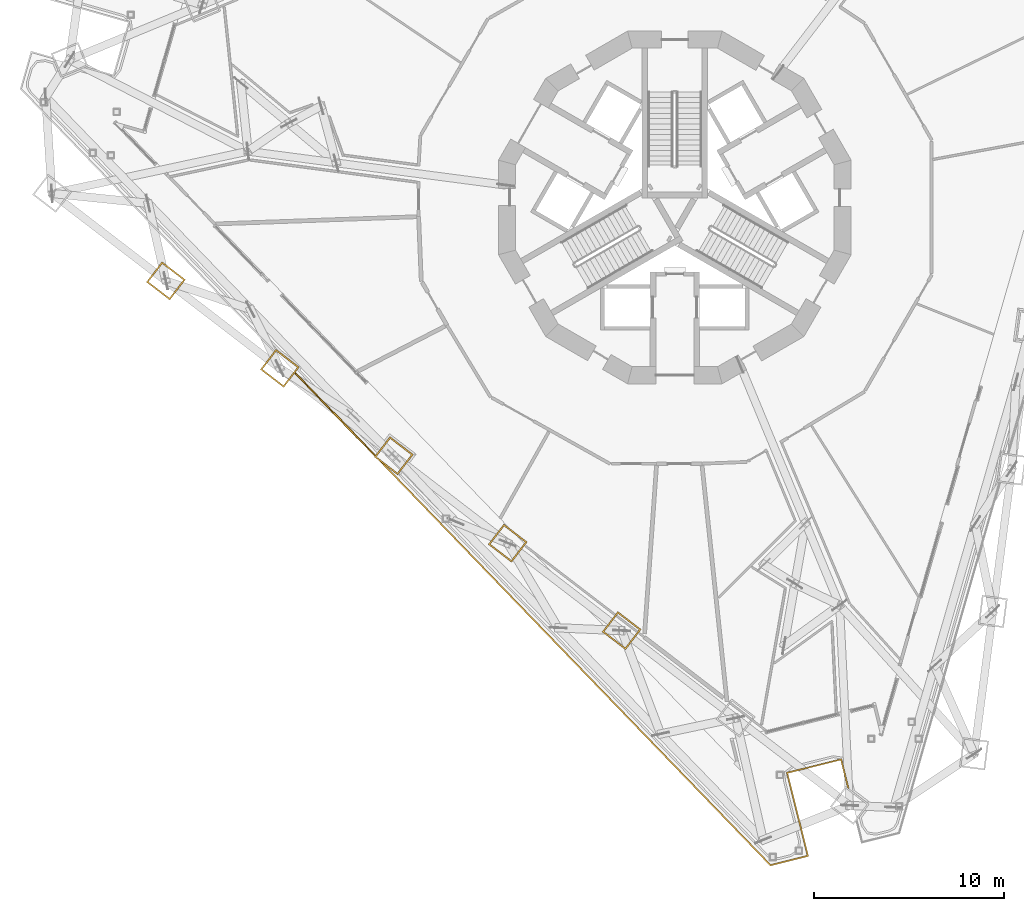
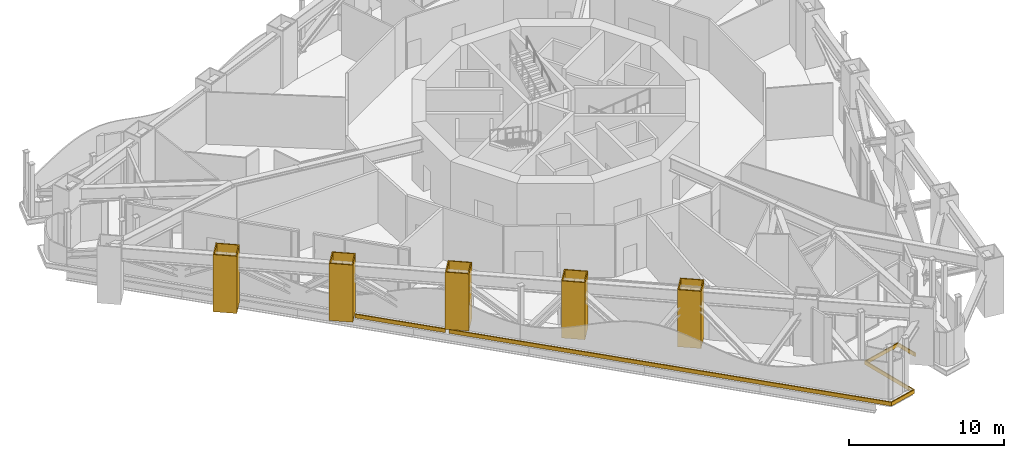
# One storey, part 19 of 26: 7 coverings.
"""IFC4 building model written with IfcOpenShell, lengths in metres."""

from ifc_helpers import new_model, si_unit, direction, frame, origin, place, context, subcontext, project, spatial, polyline, outline, extrude, material, layer, layer_set, type_object, element, save


model = new_model("IFC4")

# Units and contexts
model_context = context("Model", 3, precision=1e-05, world=origin(), true_north=direction((0.0, 1.0)))
body_context = subcontext(model_context, "Body", "Model", "MODEL_VIEW")
ifc_project = project(units=[si_unit("LENGTHUNIT", "METRE"), si_unit("AREAUNIT", "SQUARE_METRE"), si_unit("VOLUMEUNIT", "CUBIC_METRE"), si_unit("PLANEANGLEUNIT", "RADIAN"), si_unit("MASSUNIT", "GRAM", prefix="KILO")], contexts=[model_context])

# Site, building, storey
site_placement = place(None, origin())
site = spatial("IfcSite", under=ifc_project, at=site_placement, CompositionType="ELEMENT")
building_placement = place(site_placement, origin())
building = spatial("IfcBuilding", under=site, at=building_placement, Name="Trine Commons Tower", CompositionType="ELEMENT")
storey_placement = place(building_placement, frame((0.0, 0.0, 119.699951171875)))
storey = spatial("IfcBuildingStorey", under=building, at=storey_placement, Name="L30", CompositionType="ELEMENT", Elevation=119.699951171875)

# Coverings
ifc_material = material(Name="Limestone, honed", Category="masonry")
ifc_layer_1 = layer(ifc_material, 0.074951171875)
ifc_layer_set_1 = layer_set([ifc_layer_1], Name="Limestone, honed")
covering_type_1 = type_object("IfcCoveringType", Name="Limestone column cladding 75", PredefinedType="CLADDING", material=ifc_layer_set_1)
covering_1_placement = place(storey_placement, origin())
element("IfcCovering", 1, at=covering_1_placement, inside=storey, type_object=covering_type_1, Name="Limestone pier cladding 4-03", PredefinedType="CLADDING", context=body_context, shape_type="SweptSolid", body=[
    extrude(outline(polyline([(77.001708984375, 41.25732421875), (76.1796875, 40.186279296875), (77.409423828125, 39.242919921875), (78.231201171875, 40.313720703125), (77.001708984375, 41.25732421875)]), holes=[polyline([(77.015380859375, 41.152099609375), (76.284912109375, 40.2001953125), (77.3955078125, 39.347900390625), (78.126220703125, 40.300048828125), (77.015380859375, 41.152099609375)])]), origin(), (0.0, 0.0, 1.0), 4.5),
])
covering_2_placement = place(storey_placement, origin())
element("IfcCovering", 2, at=covering_2_placement, inside=storey, type_object=covering_type_1, Name="Limestone pier cladding 4-04", PredefinedType="CLADDING", context=body_context, shape_type="SweptSolid", body=[
    extrude(outline(polyline([(71.01025390625, 45.854736328125), (70.1884765625, 44.78369140625), (71.418212890625, 43.840087890625), (72.239990234375, 44.9111328125), (71.01025390625, 45.854736328125)]), holes=[polyline([(71.024169921875, 45.74951171875), (70.293701171875, 44.797607421875), (71.404296875, 43.9453125), (72.134765625, 44.897216796875), (71.024169921875, 45.74951171875)])]), origin(), (0.0, 0.0, 1.0), 4.5),
])
covering_3_placement = place(storey_placement, origin())
element("IfcCovering", 3, at=covering_3_placement, inside=storey, type_object=covering_type_1, Name="Limestone pier cladding 4-05", PredefinedType="CLADDING", context=body_context, shape_type="SweptSolid", body=[
    extrude(outline(polyline([(65.018798828125, 50.451904296875), (64.197021484375, 49.381103515625), (65.4267578125, 48.4375), (66.24853515625, 49.50830078125), (65.018798828125, 50.451904296875)]), holes=[polyline([(65.03271484375, 50.3466796875), (64.30224609375, 49.394775390625), (65.412841796875, 48.54248046875), (66.143310546875, 49.49462890625), (65.03271484375, 50.3466796875)])]), origin(), (0.0, 0.0, 1.0), 4.5),
])
covering_4_placement = place(storey_placement, origin())
element("IfcCovering", 4, at=covering_4_placement, inside=storey, type_object=covering_type_1, Name="Limestone pier cladding 4-06", PredefinedType="CLADDING", context=body_context, shape_type="SweptSolid", body=[
    extrude(outline(polyline([(59.027587890625, 55.04931640625), (58.205810546875, 53.978515625), (59.435302734375, 53.034912109375), (60.25732421875, 54.105712890625), (59.027587890625, 55.04931640625)]), holes=[polyline([(59.04150390625, 54.944091796875), (58.310791015625, 53.9921875), (59.421630859375, 53.139892578125), (60.152099609375, 54.092041015625), (59.04150390625, 54.944091796875)])]), origin(), (0.0, 0.0, 1.0), 4.5),
])
covering_5_placement = place(storey_placement, origin())
element("IfcCovering", 5, at=covering_5_placement, inside=storey, type_object=covering_type_1, Name="Limestone pier cladding 4-07", PredefinedType="CLADDING", context=body_context, shape_type="SweptSolid", body=[
    extrude(outline(polyline([(53.0361328125, 59.646728515625), (52.21435546875, 58.57568359375), (53.444091796875, 57.632080078125), (54.265869140625, 58.703125), (53.0361328125, 59.646728515625)]), holes=[polyline([(53.050048828125, 59.54150390625), (52.319580078125, 58.589599609375), (53.43017578125, 57.7373046875), (54.16064453125, 58.689208984375), (53.050048828125, 59.54150390625)])]), origin(), (0.0, 0.0, 1.0), 4.5),
])
ifc_layer_2 = layer(ifc_material, 0.074951171875)
ifc_layer_set_2 = layer_set([ifc_layer_2], Name="Limestone, honed")
covering_type_2 = type_object("IfcCoveringType", Name="Limestone spandrel panel 75", PredefinedType="CLADDING", material=ifc_layer_set_2)
covering_6_placement = place(storey_placement, frame((0.0, 0.0, -0.300048828125)))
element("IfcCovering", 6, at=covering_6_placement, inside=storey, type_object=covering_type_2, Name="Limestone spandrel panel 3-01", PredefinedType="CLADDING", context=body_context, shape_type="SweptSolid", body=[
    extrude(outline(polyline([(60.004150390625, 53.776123046875), (64.2197265625, 49.41064453125), (64.26611328125, 49.470703125), (60.05029296875, 53.836181640625), (60.004150390625, 53.776123046875)])), origin(), (0.0, 0.0, 1.0), 0.300048828125),
])
covering_7_placement = place(storey_placement, frame((0.0, 0.0, -0.300048828125)))
element("IfcCovering", 7, at=covering_7_placement, inside=storey, type_object=covering_type_2, Name="Limestone spandrel panel 3-02", PredefinedType="CLADDING", context=body_context, shape_type="SweptSolid", body=[
    extrude(outline(polyline([(88.716064453125, 33.432373046875), (89.07470703125, 31.993408203125), (89.17041015625, 31.919921875), (88.7705078125, 33.523193359375), (85.85986328125, 32.797607421875), (86.948486328125, 28.43115234375), (85.04248046875, 27.9560546875), (64.79833984375, 48.919677734375), (64.395751953125, 49.228515625), (85.018798828125, 27.872802734375), (87.039306640625, 28.37646484375), (85.95068359375, 32.742919921875), (88.716064453125, 33.432373046875)])), origin(), (0.0, 0.0, 1.0), 0.300048828125),
])

save(model, "model.ifc")
